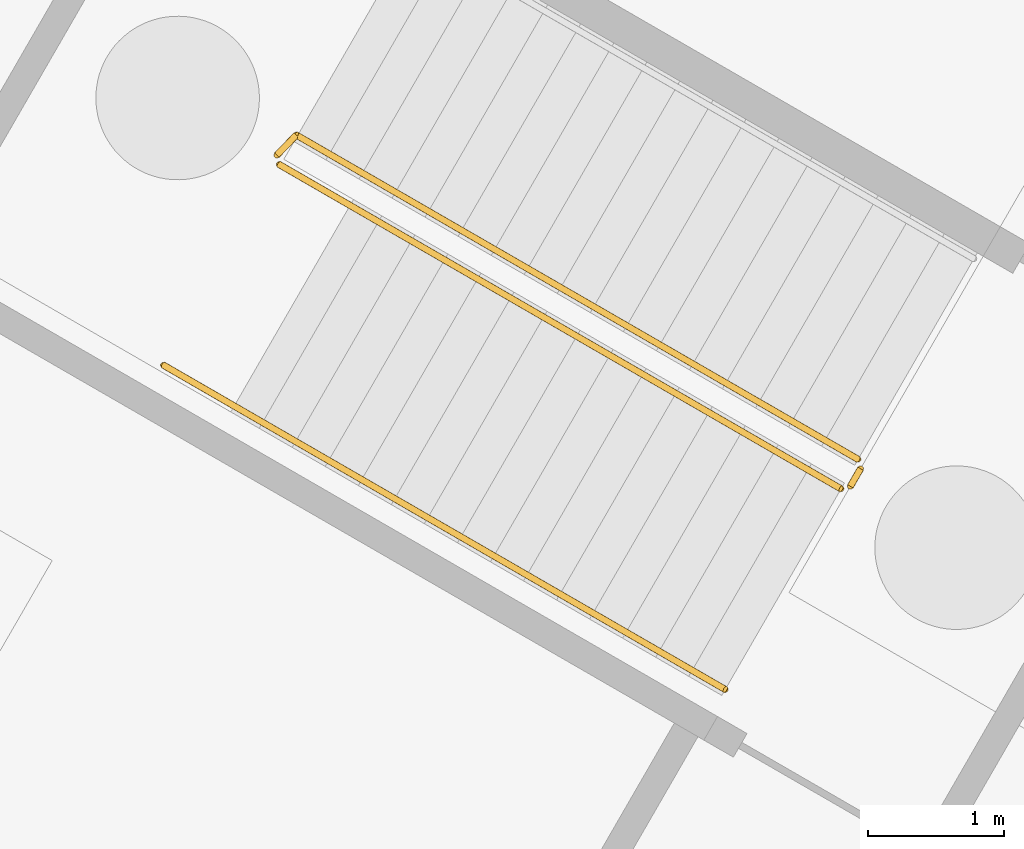
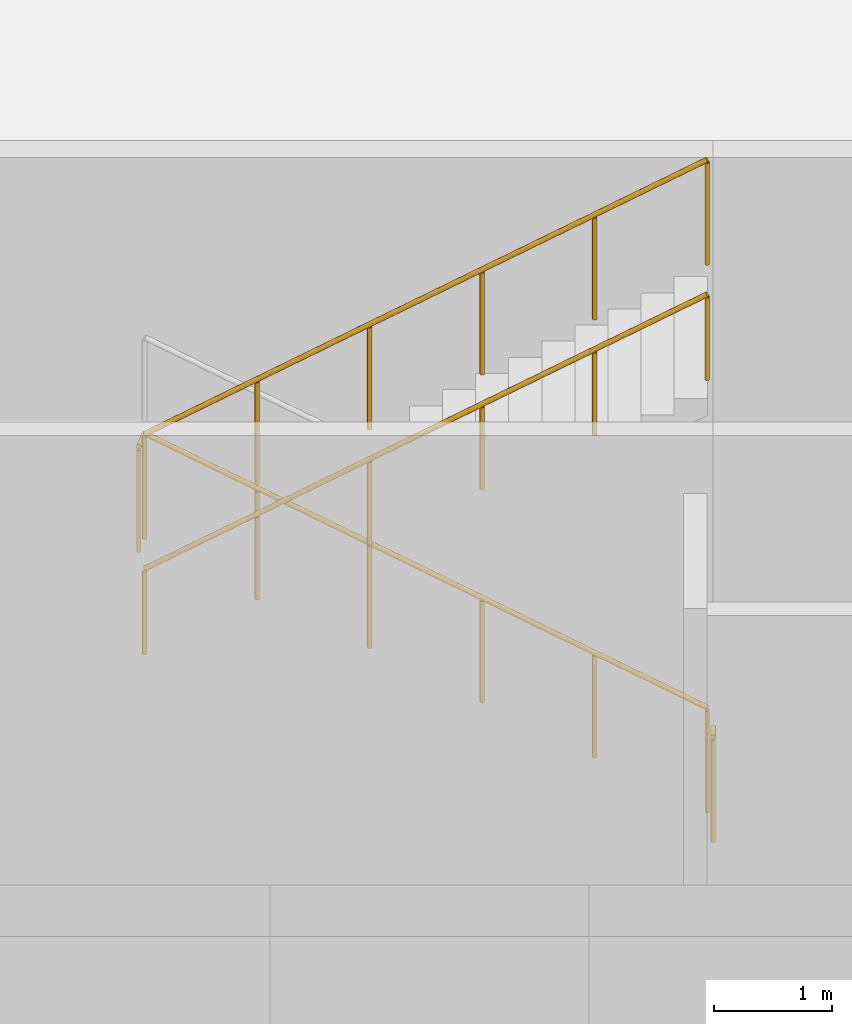
# One storey, part 31 of 38: 4 railings.
"""IFC4 building model written with IfcOpenShell, lengths in metres."""

from ifc_helpers import new_model, si_unit, direction, frame, origin, origin_2d, place, context, subcontext, project, spatial, circle, extrude, material, type_object, element, save


model = new_model("IFC4")

# Units and contexts
model_context = context("Model", 3, precision=1e-05, world=origin(), true_north=direction((0.0, 1.0)))
body_context = subcontext(model_context, "Body", "Model", "MODEL_VIEW")
ifc_project = project(units=[si_unit("LENGTHUNIT", "METRE"), si_unit("AREAUNIT", "SQUARE_METRE"), si_unit("VOLUMEUNIT", "CUBIC_METRE"), si_unit("PLANEANGLEUNIT", "RADIAN"), si_unit("MASSUNIT", "GRAM", prefix="KILO")], contexts=[model_context])

# Site, building, storey
site_placement = place(None, origin())
site = spatial("IfcSite", under=ifc_project, at=site_placement, CompositionType="ELEMENT")
building_placement = place(site_placement, origin())
building = spatial("IfcBuilding", under=site, at=building_placement, Name="Mestral Congress Tower", CompositionType="ELEMENT")
storey_placement = place(building_placement, origin())
storey = spatial("IfcBuildingStorey", under=building, at=storey_placement, Name="L00", CompositionType="ELEMENT", Elevation=0.0)

# Railings
ifc_material_1 = material(Name="Steel balustrade", Category="steel")
railing_type_1 = type_object("IfcRailingType", Name="Podium stair guard 1100", PredefinedType="GUARDRAIL", material=ifc_material_1)
railing_1_placement = place(storey_placement, frame((-22.203857421875, 56.697998046875, 0.166748046875)))
element("IfcRailing", 1, at=railing_1_placement, inside=storey, type_object=railing_type_1, Name="L00 PS-W2 stair guard 1", PredefinedType="GUARDRAIL", context=body_context, shape_type="SweptSolid", body=[
    extrude(circle(Radius=0.02392578125, at=origin_2d()), frame((0.0, 0.0, 1.076171875), z_axis=(-0.74416485776, 0.429644576726, 0.511492133043), x_axis=(-0.500000694566, -0.866025002776, 0.0)), (0.0, 0.0, 1.0), 5.539306640625),
    extrude(circle(Radius=0.02392578125, at=origin_2d()), frame((-4.1220703125, 2.3798828125, 3.9091796875), z_axis=(-0.695164929852, -0.718850276695, 0.0), x_axis=(0.718850276695, -0.695164929852, 0.0)), (0.0, 0.0, 1.0), 0.2060546875),
    extrude(circle(Radius=0.02099609375, at=origin_2d()), origin(), (0.0, 0.0, 1.0), 1.052001953125),
    extrude(circle(Radius=0.02099609375, at=origin_2d()), frame((-0.824462890625, 0.47607421875, 0.566650390625)), (0.0, 0.0, 1.0), 1.052001953125),
    extrude(circle(Radius=0.02099609375, at=origin_2d()), frame((-1.64892578125, 0.951904296875, 1.13330078125)), (0.0, 0.0, 1.0), 1.052001953125),
    extrude(circle(Radius=0.02099609375, at=origin_2d()), frame((-2.47314453125, 1.427978515625, 1.699951171875)), (0.0, 0.0, 1.0), 1.052001953125),
    extrude(circle(Radius=0.02099609375, at=origin_2d()), frame((-3.297607421875, 1.90380859375, 2.2666015625)), (0.0, 0.0, 1.0), 1.052001953125),
    extrude(circle(Radius=0.02099609375, at=origin_2d()), frame((-4.1220703125, 2.3798828125, 2.833251953125)), (0.0, 0.0, 1.0), 1.052001953125),
    extrude(circle(Radius=0.02099609375, at=origin_2d()), frame((-4.265380859375, 2.231689453125, 2.833251953125)), (0.0, 0.0, 1.0), 1.052001953125),
])
railing_2_placement = place(storey_placement, frame((-26.450927734375, 58.861328125, 3.166748046875)))
element("IfcRailing", 2, at=railing_2_placement, inside=storey, type_object=railing_type_1, Name="L00 PS-W2 stair guard 2", PredefinedType="GUARDRAIL", context=body_context, shape_type="SweptSolid", body=[
    extrude(circle(Radius=0.02392578125, at=origin_2d()), frame((0.0, 0.0, 1.076171875), z_axis=(0.74416485776, -0.429644576726, 0.511492133043), x_axis=(0.500000694566, 0.866025002776, 0.0)), (0.0, 0.0, 1.0), 5.539306640625),
    extrude(circle(Radius=0.02099609375, at=origin_2d()), origin(), (0.0, 0.0, 1.0), 1.052001953125),
    extrude(circle(Radius=0.02099609375, at=origin_2d()), frame((0.824462890625, -0.47607421875, 0.566650390625)), (0.0, 0.0, 1.0), 1.052001953125),
    extrude(circle(Radius=0.02099609375, at=origin_2d()), frame((1.64892578125, -0.951904296875, 1.13330078125)), (0.0, 0.0, 1.0), 1.052001953125),
    extrude(circle(Radius=0.02099609375, at=origin_2d()), frame((2.47314453125, -1.427978515625, 1.699951171875)), (0.0, 0.0, 1.0), 1.052001953125),
    extrude(circle(Radius=0.02099609375, at=origin_2d()), frame((3.297607421875, -1.90380859375, 2.2666015625)), (0.0, 0.0, 1.0), 1.052001953125),
    extrude(circle(Radius=0.02099609375, at=origin_2d()), frame((4.1220703125, -2.3798828125, 2.833251953125)), (0.0, 0.0, 1.0), 1.052001953125),
])
railing_3_placement = place(storey_placement, frame((-22.185546875, 56.629638671875, 0.0)))
element("IfcRailing", 3, at=railing_3_placement, inside=storey, type_object=railing_type_1, Name="L00 PS-W2 stair guard 3", PredefinedType="GUARDRAIL", context=body_context, shape_type="SweptSolid", body=[
    extrude(circle(Radius=0.02392578125, at=origin_2d()), frame((0.0, 0.0, 1.076171875), z_axis=(-0.499816412211, -0.866131372301, 0.0), x_axis=(0.866131372301, -0.499816412211, 0.0)), (0.0, 0.0, 1.0), 0.14990234375),
    extrude(circle(Radius=0.02099609375, at=origin_2d()), origin(), (0.0, 0.0, 1.0), 1.052001953125),
    extrude(circle(Radius=0.02099609375, at=origin_2d()), frame((-0.074951171875, -0.1298828125, 0.0)), (0.0, 0.0, 1.0), 1.052001953125),
])
ifc_material_2 = material(Name="Steel handrail", Category="steel")
railing_type_2 = type_object("IfcRailingType", Name="Podium stair handrail 900", PredefinedType="HANDRAIL", material=ifc_material_2)
railing_4_placement = place(storey_placement, frame((-27.301025390625, 57.38916015625, 3.166748046875)))
element("IfcRailing", 4, at=railing_4_placement, inside=storey, type_object=railing_type_2, Name="L00 PS-W2 stair handrail 2", PredefinedType="HANDRAIL", context=body_context, shape_type="SweptSolid", body=[
    extrude(circle(Radius=0.02392578125, at=origin_2d()), frame((0.0, 0.0, 0.8759765625), z_axis=(0.744184523948, -0.429630485013, 0.51147535685), x_axis=(0.499978485002, 0.866037825118, 0.0)), (0.0, 0.0, 1.0), 5.539306640625),
    extrude(circle(Radius=0.02099609375, at=origin_2d()), origin(), (0.0, 0.0, 1.0), 0.851806640625),
    extrude(circle(Radius=0.02099609375, at=origin_2d()), frame((0.824462890625, -0.47607421875, 0.566650390625)), (0.0, 0.0, 1.0), 0.851806640625),
    extrude(circle(Radius=0.02099609375, at=origin_2d()), frame((1.64892578125, -0.951904296875, 1.13330078125)), (0.0, 0.0, 1.0), 0.851806640625),
    extrude(circle(Radius=0.02099609375, at=origin_2d()), frame((2.473388671875, -1.427978515625, 1.699951171875)), (0.0, 0.0, 1.0), 0.851806640625),
    extrude(circle(Radius=0.02099609375, at=origin_2d()), frame((3.2978515625, -1.90380859375, 2.2666015625)), (0.0, 0.0, 1.0), 0.851806640625),
    extrude(circle(Radius=0.02099609375, at=origin_2d()), frame((4.122314453125, -2.3798828125, 2.833251953125)), (0.0, 0.0, 1.0), 0.851806640625),
])

save(model, "model.ifc")
